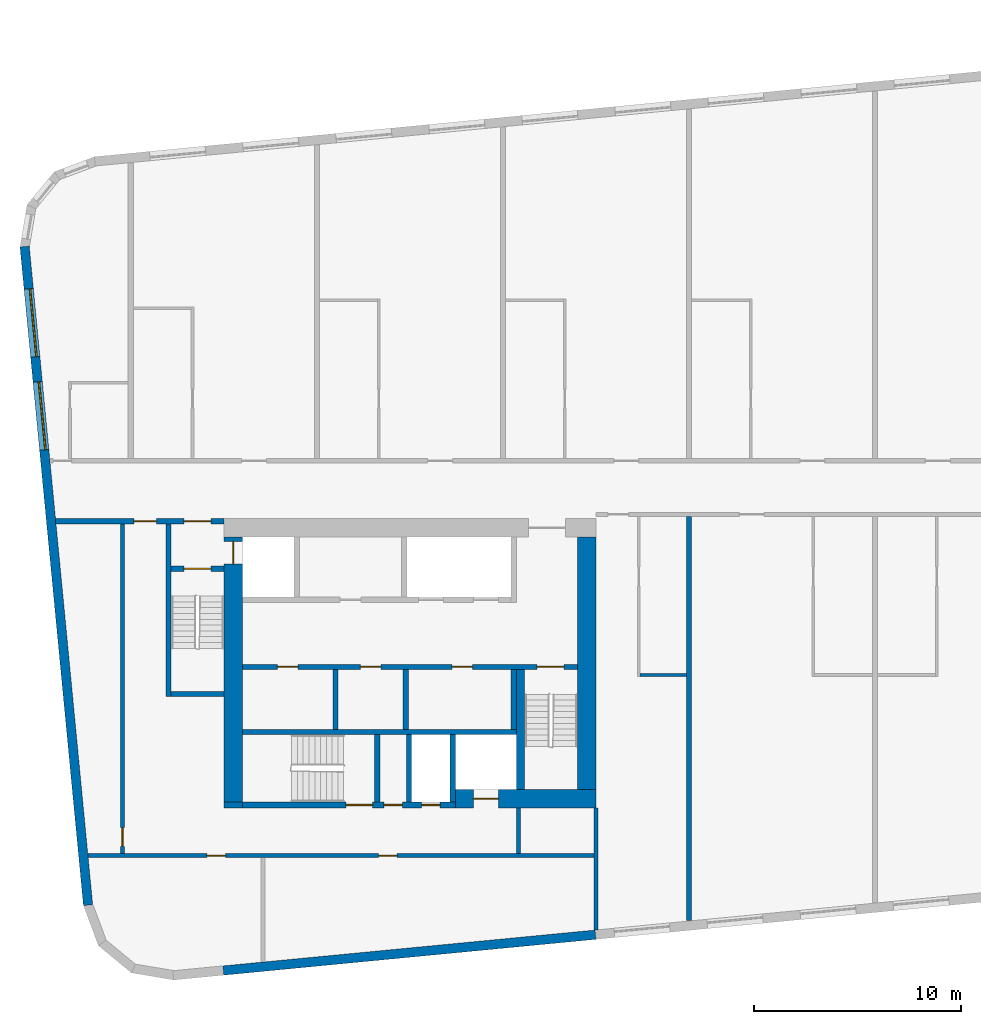
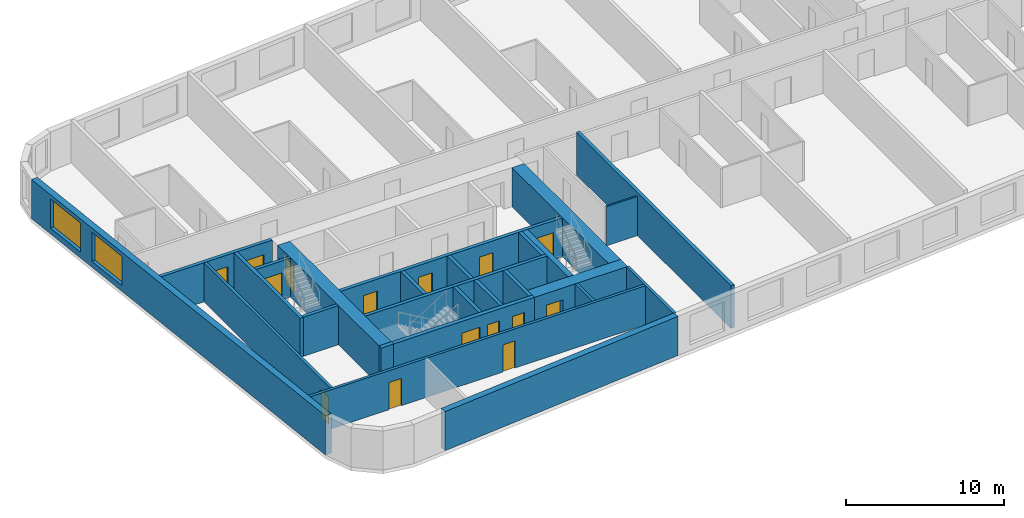
# One storey, part 2 of 11: 26 walls, 15 doors, 2 windows, 17 openings.
"""IFC4 building model written with IfcOpenShell, lengths in metres."""

import ifcopenshell
import ifcopenshell.guid

model = None  # the IFC model being written
_history = None  # IfcOwnerHistory: only IFC2X3 demands one
_inside = {}  # id of a spatial element -> (the spatial element, [elements in it])
_under = {}  # id of a project, library or spatial element -> (it, [spatial elements below it])
_declared = {}  # id of a project -> (the project, [libraries it declares])
_typed = {}  # id of a type object -> (the type object, [elements of that type])
_made_of = {}  # id of a material, layer set ... -> (it, [elements and type objects made of it])


def new_model(schema):
    """Start an empty IFC model of exactly this schema.

    Asked for "IFC4X3", IfcOpenShell would pick the latest addendum, in which some entities
    have other attributes; the version numbers below select the first issue.
    IFC2X3 requires an IfcOwnerHistory on every rooted entity: one is made here for all.
    """
    global model, _history
    if schema == "IFC4X3":
        model = ifcopenshell.file(schema_version=(4, 3, 0, 0))
    else:
        model = ifcopenshell.file(schema=schema)
    _inside.clear()
    _under.clear()
    _declared.clear()
    _typed.clear()
    _made_of.clear()
    _history = None
    if model.schema == "IFC2X3":
        org = make("IfcOrganization", Name="unknown")
        user = make(
            "IfcPersonAndOrganization",
            ThePerson=make("IfcPerson", FamilyName="unknown"),
            TheOrganization=org,
        )
        app = make(
            "IfcApplication",
            ApplicationDeveloper=org,
            Version="unknown",
            ApplicationFullName="unknown",
            ApplicationIdentifier="unknown",
        )
        _history = make(
            "IfcOwnerHistory",
            OwningUser=user,
            OwningApplication=app,
            ChangeAction="ADDED",
            CreationDate=0,
        )
    return model


def make(cls, **values):
    """One entity of the class cls with the attributes given. An attribute that is None is left unset."""
    return model.create_entity(
        cls, **{name: value for name, value in values.items() if value is not None}
    )


def rooted(cls, **values):
    """An entity with a GlobalId (a new one), such as an element, a storey or a relation."""
    return make(cls, GlobalId=ifcopenshell.guid.new(), OwnerHistory=_history, **values)


def si_unit(unit_type, name, prefix=None):
    """IfcSIUnit, for example si_unit("LENGTHUNIT", "METRE", prefix="MILLI")."""
    return make("IfcSIUnit", UnitType=unit_type, Prefix=prefix, Name=name)


def assignment(units):
    """IfcUnitAssignment: the units of a project."""
    return None if units is None else make("IfcUnitAssignment", Units=units)


def point(xyz):
    """IfcCartesianPoint."""
    return None if xyz is None else make("IfcCartesianPoint", Coordinates=xyz)


def direction(xyz):
    """IfcDirection."""
    return None if xyz is None else make("IfcDirection", DirectionRatios=xyz)


def frame(location, z_axis=None, x_axis=None):
    """IfcAxis2Placement3D, a coordinate frame: its origin and axes. An axis left out is left unset."""
    return make(
        "IfcAxis2Placement3D",
        Location=point(location),
        Axis=direction(z_axis),
        RefDirection=direction(x_axis),
    )


def frame_2d(location, x_axis=None):
    """IfcAxis2Placement2D, a coordinate frame in the plane: its origin and x axis."""
    return make(
        "IfcAxis2Placement2D", Location=point(location), RefDirection=direction(x_axis)
    )


def origin():
    """The frame at (0, 0, 0) with its axes left unset."""
    return frame((0.0, 0.0, 0.0))


def place(relative_to, where):
    """IfcLocalPlacement: puts the frame where relative to a parent placement (None: the world)."""
    return make(
        "IfcLocalPlacement", PlacementRelTo=relative_to, RelativePlacement=where
    )


def context(
    kind, dimensions, precision=None, world=None, true_north=None, identifier=None
):
    """IfcGeometricRepresentationContext, for example the 3D "Model" context."""
    return make(
        "IfcGeometricRepresentationContext",
        ContextIdentifier=identifier,
        ContextType=kind,
        CoordinateSpaceDimension=dimensions,
        Precision=precision,
        WorldCoordinateSystem=world,
        TrueNorth=true_north,
    )


def subcontext(parent, identifier, kind, view, scale=None):
    """IfcGeometricRepresentationSubContext, for example "Body" below "Model"."""
    return make(
        "IfcGeometricRepresentationSubContext",
        ContextIdentifier=identifier,
        ContextType=kind,
        ParentContext=parent,
        TargetScale=scale,
        TargetView=view,
    )


def project(units=None, contexts=None):
    """IfcProject with its units and contexts."""
    return rooted(
        "IfcProject",
        Name="project",
        RepresentationContexts=contexts,
        UnitsInContext=assignment(units),
    )


def spatial(cls, under=None, at=None, **own):
    """A site, building, storey or space (cls), placed at a placement, below another one or the project."""
    s = rooted(cls, ObjectPlacement=at, **own)
    if under is not None:
        _under.setdefault(under.id(), (under, []))[1].append(s)
    return s


def profile(cls, at=None, kind="AREA", **sizes):
    """A parametric profile (cls). Its sizes go by their IFC names, for example OverallWidth=200.0."""
    return make(cls, ProfileType=kind, Position=at, **sizes)


def rectangle(**sizes):
    """IfcRectangleProfileDef."""
    return profile("IfcRectangleProfileDef", **sizes)


def extrude(swept, where, along, depth):
    """IfcExtrudedAreaSolid: the profile swept, set in the frame where, extruded along a direction by depth."""
    return make(
        "IfcExtrudedAreaSolid",
        SweptArea=swept,
        Position=where,
        ExtrudedDirection=direction(along),
        Depth=depth,
    )


def shape(context_of_items, identifier, shape_type, items):
    """IfcShapeRepresentation: the items that make up one representation, for example the "Body"."""
    return make(
        "IfcShapeRepresentation",
        ContextOfItems=context_of_items,
        RepresentationIdentifier=identifier,
        RepresentationType=shape_type,
        Items=items,
    )


def material(Name=None, Category=None):
    """IfcMaterial."""
    return make("IfcMaterial", Name=Name, Category=Category)


def layer(
    of_material, thickness, ventilated=None, Name=None, Category=None, Priority=None
):
    """IfcMaterialLayer: one layer of a wall or slab, of a material (None: an air gap)."""
    return make(
        "IfcMaterialLayer",
        Material=of_material,
        LayerThickness=thickness,
        IsVentilated=ventilated,
        Name=Name,
        Category=Category,
        Priority=Priority,
    )


def layer_set(layers, Name=None):
    """IfcMaterialLayerSet."""
    return make("IfcMaterialLayerSet", MaterialLayers=layers, LayerSetName=Name)


def made_of(thing, what):
    """Note that an element or type object is made of a material, layer set ...; save() writes the relation."""
    if what is not None:
        _made_of.setdefault(what.id(), (what, []))[1].append(thing)
    return thing


def type_object(cls, material=None, **own):
    """A type object (cls), such as IfcWallType, which elements share."""
    return made_of(rooted(cls, **own), material)


def element(
    cls,
    number,
    at=None,
    inside=None,
    cuts=None,
    type_object=None,
    material=None,
    context=None,
    identifier="Body",
    shape_type=None,
    held_by="IfcProductDefinitionShape",
    body=None,
    shapes=None,
    **own,
):
    """One element of the class cls, such as IfcWall. Its Tag is "e" and its number.

    at: its placement. inside: the storey or other place that contains it. cuts: it is an
    opening in that element (IfcRelVoidsElement). A single representation is given by context,
    identifier, shape_type and body (its items); several are given by shapes. held_by: the class
    of the entity that holds the representations. save() writes the other relations.
    """
    e = rooted(cls, Tag="e%d" % number, ObjectPlacement=at, **own)
    if body is not None:
        shapes = [shape(context, identifier, shape_type, body)]
    if shapes is not None:
        e.Representation = make(held_by, Representations=shapes)
    if inside is not None:
        _inside.setdefault(inside.id(), (inside, []))[1].append(e)
    if cuts is not None:
        rooted(
            "IfcRelVoidsElement", RelatingBuildingElement=cuts, RelatedOpeningElement=e
        )
    if type_object is not None:
        _typed.setdefault(type_object.id(), (type_object, []))[1].append(e)
    return made_of(e, material)


def fill(opening, filler):
    """IfcRelFillsElement: the door or window that sits in an opening."""
    return rooted(
        "IfcRelFillsElement",
        RelatingOpeningElement=opening,
        RelatedBuildingElement=filler,
    )


def aggregate(whole, parts):
    """IfcRelAggregates: a whole, such as a stair, and the parts it consists of."""
    return rooted("IfcRelAggregates", RelatingObject=whole, RelatedObjects=parts)


def save(model, path):
    """Write the relations noted so far, then the file.

    IfcRelAggregates (storeys below a building ...), IfcRelContainedInSpatialStructure (elements
    in a storey), IfcRelDefinesByType, IfcRelAssociatesMaterial and IfcRelDeclares: one each for
    every whole, place, type object, material and project.
    """
    for whole, parts in _under.values():
        aggregate(whole, parts)
    for where, things in _inside.values():
        rooted(
            "IfcRelContainedInSpatialStructure",
            RelatedElements=things,
            RelatingStructure=where,
        )
    for kind, things in _typed.values():
        rooted("IfcRelDefinesByType", RelatedObjects=things, RelatingType=kind)
    for what, things in _made_of.values():
        rooted("IfcRelAssociatesMaterial", RelatedObjects=things, RelatingMaterial=what)
    for by, libraries in _declared.values():
        rooted("IfcRelDeclares", RelatingContext=by, RelatedDefinitions=libraries)
    model.write(path)


model = new_model("IFC4")

# Units and contexts
model_context = context("Model", 3, precision=1e-05, world=origin(), true_north=direction((0.0, 1.0)))
body_context = subcontext(model_context, "Body", "Model", "MODEL_VIEW")
ifc_project = project(units=[si_unit("LENGTHUNIT", "METRE"), si_unit("AREAUNIT", "SQUARE_METRE"), si_unit("VOLUMEUNIT", "CUBIC_METRE"), si_unit("PLANEANGLEUNIT", "RADIAN"), si_unit("MASSUNIT", "GRAM", prefix="KILO")], contexts=[model_context])

# Site, building, storey
site_placement = place(None, origin())
site = spatial("IfcSite", under=ifc_project, at=site_placement, CompositionType="ELEMENT")
building_placement = place(site_placement, origin())
building = spatial("IfcBuilding", under=site, at=building_placement, Name="Kajstack Hotel Tower", CompositionType="ELEMENT")
storey_placement = place(building_placement, frame((0.0, 0.0, 271.800048828125)))
storey = spatial("IfcBuildingStorey", under=building, at=storey_placement, Name="L67", CompositionType="ELEMENT", Elevation=271.800048828125)

# Wall, opening, door
ifc_material_1 = material(Name="Concrete C60/75", Category="concrete")
ifc_layer_1 = layer(ifc_material_1, 0.89990234375)
ifc_layer_set_1 = layer_set([ifc_layer_1], Name="Core wall 900")
wall_type_1 = type_object("IfcWallType", Name="Core wall 900", PredefinedType="SHEAR", material=ifc_layer_set_1)
wall_1_placement = place(storey_placement, frame((-20.300048828125, -15.050048828125, 0.0), z_axis=(0.0, 0.0, 1.0), x_axis=(1.0, 0.0, 0.0)))
wall_1 = element("IfcWall", 1, at=wall_1_placement, inside=storey, type_object=wall_type_1, Name="Core wall W RS", PredefinedType="SHEAR", context=body_context, shape_type="SweptSolid", body=[
    extrude(rectangle(XDim=6.800048828125, YDim=0.89990234375, at=frame_2d((3.39990234375, 0.0))), origin(), (0.0, 0.0, 1.0), 3.02001953125),
])
opening_1_placement = place(wall_1_placement, frame((0.875, 0.0, 0.0)))
opening_1 = element("IfcOpeningElement", 2, at=opening_1_placement, cuts=wall_1, Name="Opening LD-SV1", PredefinedType="OPENING", context=body_context, shape_type="SweptSolid", body=[
    extrude(rectangle(XDim=1.199951171875, YDim=2.10009765625, at=frame_2d((0.60009765625, 1.050048828125))), frame((0.0, 0.4599609375, 0.0), z_axis=(0.0, -1.0, 0.0), x_axis=(1.0, 0.0, 0.0)), (0.0, 0.0, 1.0), 0.919921875),
])
ifc_material_2 = material(Name="Stainless steel", Category="steel")
door_type_1 = type_object("IfcDoorType", Name="Lift landing door 1200", OperationType="SLIDING_TO_LEFT", PredefinedType="DOOR", material=ifc_material_2)
door_1_placement = place(opening_1_placement, origin())
door_1 = element("IfcDoor", 3, at=door_1_placement, inside=storey, type_object=door_type_1, Name="Landing door SV1", OperationType="SLIDING_TO_LEFT", OverallHeight=2.10009765625, OverallWidth=1.199951171875, PredefinedType="DOOR", context=body_context, shape_type="SweptSolid", body=[
    extrude(rectangle(XDim=1.199951171875, YDim=2.10009765625, at=frame_2d((0.60009765625, 1.050048828125))), frame((0.0, 0.02490234375, 0.0), z_axis=(0.0, -1.0, 0.0), x_axis=(1.0, 0.0, 0.0)), (0.0, 0.0, 1.0), 0.050048828125),
])
fill(opening_1, door_1)

# Wall
wall_2_placement = place(storey_placement, frame((-31.5, -15.35009765625, 0.0), z_axis=(0.0, 0.0, 1.0), x_axis=(1.0, 0.0, 0.0)))
element("IfcWall", 4, at=wall_2_placement, inside=storey, type_object=wall_type_1, Name="Core wall W RSW", PredefinedType="SHEAR", context=body_context, shape_type="SweptSolid", body=[
    extrude(rectangle(XDim=0.89990234375, YDim=0.300048828125, at=frame_2d((0.449951171875, 0.0))), origin(), (0.0, 0.0, 1.0), 3.02001953125),
])

# Wall, opening, door
wall_3_placement = place(storey_placement, frame((-31.050048828125, -15.199951171875, 0.0), z_axis=(0.0, 0.0, 1.0), x_axis=(0.0, 1.0, 0.0)))
wall_3 = element("IfcWall", 5, at=wall_3_placement, inside=storey, type_object=wall_type_1, Name="Core wall W RW", PredefinedType="SHEAR", context=body_context, shape_type="SweptSolid", body=[
    extrude(rectangle(XDim=12.800048828125, YDim=0.89990234375, at=frame_2d((6.39990234375, 0.0))), origin(), (0.0, 0.0, 1.0), 3.02001953125),
])
opening_2_placement = place(wall_3_placement, frame((11.5, 0.0, 0.0)))
opening_2 = element("IfcOpeningElement", 6, at=opening_2_placement, cuts=wall_3, Name="Opening LD-FF1", PredefinedType="OPENING", context=body_context, shape_type="SweptSolid", body=[
    extrude(rectangle(XDim=1.10009765625, YDim=2.10009765625, at=frame_2d((0.550048828125, 1.050048828125))), frame((0.0, 0.4599609375, 0.0), z_axis=(0.0, -1.0, 0.0), x_axis=(1.0, 0.0, 0.0)), (0.0, 0.0, 1.0), 0.919921875),
])
door_type_2 = type_object("IfcDoorType", Name="Fire-fighting lift landing door 1100", OperationType="SLIDING_TO_LEFT", PredefinedType="DOOR", material=ifc_material_2)
door_2_placement = place(opening_2_placement, origin())
door_2 = element("IfcDoor", 7, at=door_2_placement, inside=storey, type_object=door_type_2, Name="Landing door FF1", OperationType="SLIDING_TO_RIGHT", OverallHeight=2.10009765625, OverallWidth=1.10009765625, PredefinedType="DOOR", context=body_context, shape_type="SweptSolid", body=[
    extrude(rectangle(XDim=1.10009765625, YDim=2.10009765625, at=frame_2d((0.550048828125, 1.050048828125))), frame((0.0, 0.02490234375, 0.0), z_axis=(0.0, -1.0, 0.0), x_axis=(1.0, 0.0, 0.0)), (0.0, 0.0, 1.0), 0.050048828125),
])
fill(opening_2, door_2)

# Walls
wall_4_placement = place(storey_placement, frame((-13.949951171875, -14.60009765625, 0.0), z_axis=(0.0, 0.0, 1.0), x_axis=(0.0, 1.0, 0.0)))
element("IfcWall", 8, at=wall_4_placement, inside=storey, type_object=wall_type_1, Name="Core wall W RE", PredefinedType="SHEAR", context=body_context, shape_type="SweptSolid", body=[
    extrude(rectangle(XDim=12.2001953125, YDim=0.89990234375, at=frame_2d((6.10009765625, 0.0))), origin(), (0.0, 0.0, 1.0), 3.02001953125),
])
ifc_material_3 = material(Name="Twin-frame gypsum board on steel studs, mineral wool", Category="steel")
ifc_layer_2 = layer(ifc_material_3, 0.199951171875)
ifc_layer_set_2 = layer_set([ifc_layer_2], Name="Demising wall 200")
wall_type_2 = type_object("IfcWallType", Name="Demising wall 200", PredefinedType="PARTITIONING", material=ifc_layer_set_2)
wall_5_placement = place(storey_placement, frame((-13.5, -21.39599609375, 0.0), z_axis=(0.0, 0.0, 1.0), x_axis=(0.0, 1.0, 0.0)))
element("IfcWall", 9, at=wall_5_placement, inside=storey, type_object=wall_type_2, Name="G-wall-L67-002", PredefinedType="PARTITIONING", context=body_context, shape_type="SweptSolid", body=[
    extrude(rectangle(XDim=5.89599609375, YDim=0.199951171875, at=frame_2d((2.947998046875, 0.0))), origin(), (0.0, 0.0, 1.0), 3.02001953125),
])
ifc_material_4 = material(Name="Concrete C40/50", Category="concrete")
ifc_layer_3 = layer(ifc_material_4, 0.449951171875)
ifc_layer_set_3 = layer_set([ifc_layer_3], Name="EW-CORE")
wall_type_3 = type_object("IfcWallType", Name="EW-CORE", PredefinedType="SOLIDWALL", material=ifc_layer_set_3)
wall_6_placement = place(storey_placement, frame((-31.521484375, -23.357177734375, 0.0), z_axis=(0.0, 0.0, 1.0), x_axis=(0.995396454615, 0.095843091245, 0.0)))
element("IfcWall", 10, at=wall_6_placement, inside=storey, type_object=wall_type_3, Name="E-wall-L67-04-01", PredefinedType="SOLIDWALL", context=body_context, shape_type="SweptSolid", body=[
    extrude(rectangle(XDim=18.083251953125, YDim=0.449951171875, at=frame_2d((9.04150390625, 0.0))), origin(), (0.0, 0.0, 1.0), 3.02001953125),
])

# Wall, openings, windows
ifc_material_5 = material(Name="Terracotta-faced brick masonry", Category="masonry")
ifc_layer_4 = layer(ifc_material_5, 0.449951171875)
ifc_layer_set_4 = layer_set([ifc_layer_4], Name="EW-TERRA")
wall_type_4 = type_object("IfcWallType", Name="EW-TERRA", PredefinedType="SOLIDWALL", material=ifc_layer_set_4)
wall_7_placement = place(storey_placement, frame((-41.13232421875, 11.657958984375, 0.0), z_axis=(0.0, 0.0, 1.0), x_axis=(0.095847749461, -0.995396006082, 0.0)))
wall_7 = element("IfcWall", 11, at=wall_7_placement, inside=storey, type_object=wall_type_4, Name="E-wall-L67-00-00", PredefinedType="SOLIDWALL", context=body_context, shape_type="SweptSolid", body=[
    extrude(rectangle(XDim=32.0, YDim=0.449951171875, at=frame_2d((16.0, 0.0))), origin(), (0.0, 0.0, 1.0), 3.02001953125),
])
opening_3_placement = place(wall_7_placement, frame((2.053466796875, 0.0, 0.449951171875)))
opening_3 = element("IfcOpeningElement", 12, at=opening_3_placement, cuts=wall_7, Name="Opening W2", PredefinedType="OPENING", context=body_context, shape_type="SweptSolid", body=[
    extrude(rectangle(XDim=3.300048828125, YDim=2.25, at=frame_2d((1.64990234375, 1.125))), frame((0.0, 0.23486328125, 0.0), z_axis=(0.0, -1.0, 0.0), x_axis=(1.0, 0.0, 0.0)), (0.0, 0.0, 1.0), 0.469970703125),
])
opening_4_placement = place(wall_7_placement, frame((6.57421875, 0.0, 0.449951171875)))
opening_4 = element("IfcOpeningElement", 13, at=opening_4_placement, cuts=wall_7, Name="Opening W2", PredefinedType="OPENING", context=body_context, shape_type="SweptSolid", body=[
    extrude(rectangle(XDim=3.300048828125, YDim=2.25, at=frame_2d((1.64990234375, 1.125))), frame((0.0, 0.23486328125, 0.0), z_axis=(0.0, -1.0, 0.0), x_axis=(1.0, 0.0, 0.0)), (0.0, 0.0, 1.0), 0.469970703125),
])
ifc_material_6 = material(Name="Timber-aluminium window, triple glazed", Category="wood")
window_type = type_object("IfcWindowType", Name="WG2", PartitioningType="SINGLE_PANEL", PredefinedType="WINDOW", material=ifc_material_6)
window_1_placement = place(opening_3_placement, origin())
window_1 = element("IfcWindow", 14, at=window_1_placement, inside=storey, type_object=window_type, Name="Window W2 L67-00", OverallHeight=2.25, OverallWidth=3.300048828125, PartitioningType="SINGLE_PANEL", PredefinedType="WINDOW", context=body_context, shape_type="SweptSolid", body=[
    extrude(rectangle(XDim=3.300048828125, YDim=2.25, at=frame_2d((1.64990234375, 1.125))), frame((0.0, 0.090087890625, 0.0), z_axis=(0.0, -1.0, 0.0), x_axis=(1.0, 0.0, 0.0)), (0.0, 0.0, 1.0), 0.06005859375),
])
fill(opening_3, window_1)
window_2_placement = place(opening_4_placement, origin())
window_2 = element("IfcWindow", 15, at=window_2_placement, inside=storey, type_object=window_type, Name="Window W2 L67-00", OverallHeight=2.25, OverallWidth=3.300048828125, PartitioningType="SINGLE_PANEL", PredefinedType="WINDOW", context=body_context, shape_type="SweptSolid", body=[
    extrude(rectangle(XDim=3.300048828125, YDim=2.25, at=frame_2d((1.64990234375, 1.125))), frame((0.0, 0.090087890625, 0.0), z_axis=(0.0, -1.0, 0.0), x_axis=(1.0, 0.0, 0.0)), (0.0, 0.0, 1.0), 0.06005859375),
])
fill(opening_4, window_2)

# Walls
ifc_material_7 = material(Name="Gypsum board and tiled backer on steel studs", Category="steel")
ifc_layer_5 = layer(ifc_material_7, 0.125)
ifc_layer_set_5 = layer_set([ifc_layer_5], Name="En-suite wall 125")
wall_type_5 = type_object("IfcWallType", Name="En-suite wall 125", PredefinedType="PARTITIONING", material=ifc_layer_set_5)
wall_8_placement = place(storey_placement, frame((-11.375, -9.06201171875, 0.0), z_axis=(0.0, 0.0, 1.0), x_axis=(1.0, 0.0, 0.0)))
element("IfcWall", 16, at=wall_8_placement, inside=storey, type_object=wall_type_5, Name="G-wall-L67-020", PredefinedType="PARTITIONING", context=body_context, shape_type="SweptSolid", body=[
    extrude(rectangle(XDim=2.25, YDim=0.125, at=frame_2d((1.125, 0.0))), origin(), (0.0, 0.0, 1.0), 3.02001953125),
])
ifc_layer_6 = layer(ifc_material_4, 0.25)
ifc_layer_set_6 = layer_set([ifc_layer_6], Name="RC cross wall 250 C40/50")
wall_type_6 = type_object("IfcWallType", Name="RC cross wall 250 C40/50", PredefinedType="SHEAR", material=ifc_layer_set_6)
wall_9_placement = place(storey_placement, frame((-9.0, -20.9404296875, 0.0), z_axis=(0.0, 0.0, 1.0), x_axis=(0.0, 1.0, 0.0)))
element("IfcWall", 17, at=wall_9_placement, inside=storey, type_object=wall_type_6, Name="S-wall-L67-04", PredefinedType="SHEAR", context=body_context, shape_type="SweptSolid", body=[
    extrude(rectangle(XDim=19.54052734375, YDim=0.25, at=frame_2d((9.770263671875, 0.0))), origin(), (0.0, 0.0, 1.0), 3.300048828125),
])
ifc_material_8 = material(Name="Concrete block masonry", Category="masonry")
ifc_layer_7 = layer(ifc_material_8, 0.25)
ifc_layer_set_7 = layer_set([ifc_layer_7], Name="Riser partition 250")
wall_type_7 = type_object("IfcWallType", Name="Riser partition 250", PredefinedType="PARTITIONING", material=ifc_layer_set_7)
for number, where, z_axis, x_axis, name in (
    (18, (-26.10009765625, -11.699951171875, 0.0), (0.0, 0.0, 1.0), (0.0, 1.0, 0.0), "Partition W BF0"),
    (19, (-22.699951171875, -11.699951171875, 0.0), (0.0, 0.0, 1.0), (0.0, 1.0, 0.0), "Partition W BF1"),
):
    element("IfcWall", number, at=place(storey_placement, frame(where, z_axis=z_axis, x_axis=x_axis)), inside=storey, type_object=wall_type_7, Name=name, PredefinedType="PARTITIONING", context=body_context, shape_type="SweptSolid", body=[
        extrude(rectangle(XDim=2.89990234375, YDim=0.25, at=frame_2d((1.449951171875, 0.0))), origin(), (0.0, 0.0, 1.0), 3.02001953125),
    ])
wall_10_placement = place(storey_placement, frame((-22.550048828125, -15.199951171875, 0.0), z_axis=(0.0, 0.0, 1.0), x_axis=(0.0, 1.0, 0.0)))
element("IfcWall", 20, at=wall_10_placement, inside=storey, type_object=wall_type_7, Name="Partition W SZ0", PredefinedType="PARTITIONING", context=body_context, shape_type="SweptSolid", body=[
    extrude(rectangle(XDim=3.25, YDim=0.25, at=frame_2d((1.625, 0.0))), origin(), (0.0, 0.0, 1.0), 3.02001953125),
])

# Wall, openings, doors
ifc_material_9 = material(Name="Gypsum board on steel studs, mineral wool", Category="steel")
ifc_layer_8 = layer(ifc_material_9, 0.199951171875)
ifc_layer_set_8 = layer_set([ifc_layer_8], Name="Service partition 200")
wall_type_8 = type_object("IfcWallType", Name="Service partition 200", PredefinedType="PARTITIONING", material=ifc_layer_set_8)
wall_11_placement = place(storey_placement, frame((-39.627197265625, -1.625, 0.0), z_axis=(0.0, 0.0, 1.0), x_axis=(1.0, 0.0, 0.0)))
wall_11 = element("IfcWall", 21, at=wall_11_placement, inside=storey, type_object=wall_type_8, Name="Partition W SN", PredefinedType="PARTITIONING", context=body_context, shape_type="SweptSolid", body=[
    extrude(rectangle(XDim=8.127197265625, YDim=0.25, at=frame_2d((4.0634765625, 0.0))), origin(), (0.0, 0.0, 1.0), 3.02001953125),
])
opening_5_placement = place(wall_11_placement, frame((6.202392578125, 0.0, 0.0)))
opening_5 = element("IfcOpeningElement", 22, at=opening_5_placement, cuts=wall_11, Name="Opening 67W06", PredefinedType="OPENING", context=body_context, shape_type="SweptSolid", body=[
    extrude(rectangle(XDim=1.300048828125, YDim=2.10009765625, at=frame_2d((0.64990234375, 1.050048828125))), frame((0.0, 0.135009765625, 0.0), z_axis=(0.0, -1.0, 0.0), x_axis=(1.0, 0.0, 0.0)), (0.0, 0.0, 1.0), 0.27001953125),
])
opening_6_placement = place(wall_11_placement, frame((3.77734375, 0.0, 0.0)))
opening_6 = element("IfcOpeningElement", 23, at=opening_6_placement, cuts=wall_11, Name="Opening 67W08", PredefinedType="OPENING", context=body_context, shape_type="SweptSolid", body=[
    extrude(rectangle(XDim=1.10009765625, YDim=2.10009765625, at=frame_2d((0.550048828125, 1.050048828125))), frame((0.0, 0.135009765625, 0.0), z_axis=(0.0, -1.0, 0.0), x_axis=(1.0, 0.0, 0.0)), (0.0, 0.0, 1.0), 0.27001953125),
])
ifc_material_10 = material(Name="Steel leaf, fire-rated", Category="steel")
door_type_3 = type_object("IfcDoorType", Name="Fire lobby door 1300", OperationType="SINGLE_SWING_LEFT", PredefinedType="DOOR", material=ifc_material_10)
door_3_placement = place(opening_5_placement, origin())
door_3 = element("IfcDoor", 24, at=door_3_placement, inside=storey, type_object=door_type_3, Name="Door 67W06", OperationType="SINGLE_SWING_RIGHT", OverallHeight=2.10009765625, OverallWidth=1.300048828125, PredefinedType="DOOR", context=body_context, shape_type="SweptSolid", body=[
    extrude(rectangle(XDim=1.300048828125, YDim=2.10009765625, at=frame_2d((0.64990234375, 1.050048828125))), frame((0.0, 0.02490234375, 0.0), z_axis=(0.0, -1.0, 0.0), x_axis=(1.0, 0.0, 0.0)), (0.0, 0.0, 1.0), 0.050048828125),
])
fill(opening_5, door_3)
ifc_material_11 = material(Name="Timber leaf, fire-rated", Category="wood")
door_type_4 = type_object("IfcDoorType", Name="Service corridor door 1100", OperationType="SINGLE_SWING_LEFT", PredefinedType="DOOR", material=ifc_material_11)
door_4_placement = place(opening_6_placement, origin())
door_4 = element("IfcDoor", 25, at=door_4_placement, inside=storey, type_object=door_type_4, Name="Door 67W08", OperationType="SINGLE_SWING_RIGHT", OverallHeight=2.10009765625, OverallWidth=1.10009765625, PredefinedType="DOOR", context=body_context, shape_type="SweptSolid", body=[
    extrude(rectangle(XDim=1.10009765625, YDim=2.10009765625, at=frame_2d((0.550048828125, 1.050048828125))), frame((0.0, 0.02490234375, 0.0), z_axis=(0.0, -1.0, 0.0), x_axis=(1.0, 0.0, 0.0)), (0.0, 0.0, 1.0), 0.050048828125),
])
fill(opening_6, door_4)

# Wall
wall_12_placement = place(storey_placement, frame((-17.25, -17.699951171875, 0.0), z_axis=(0.0, 0.0, 1.0), x_axis=(0.0, 1.0, 0.0)))
element("IfcWall", 26, at=wall_12_placement, inside=storey, type_object=wall_type_8, Name="Partition W SCE", PredefinedType="PARTITIONING", context=body_context, shape_type="SweptSolid", body=[
    extrude(rectangle(XDim=2.199951171875, YDim=0.199951171875, at=frame_2d((1.10009765625, 0.0))), origin(), (0.0, 0.0, 1.0), 3.02001953125),
])

# Wall, opening, door
wall_13_placement = place(storey_placement, frame((-36.39990234375, -17.699951171875, 0.0), z_axis=(0.0, 0.0, 1.0), x_axis=(0.0, 1.0, 0.0)))
wall_13 = element("IfcWall", 27, at=wall_13_placement, inside=storey, type_object=wall_type_8, Name="Partition W WRE", PredefinedType="PARTITIONING", context=body_context, shape_type="SweptSolid", body=[
    extrude(rectangle(XDim=15.949951171875, YDim=0.199951171875, at=frame_2d((7.97509765625, 0.0))), origin(), (0.0, 0.0, 1.0), 3.02001953125),
])
opening_7_placement = place(wall_13_placement, frame((0.35009765625, 0.0, 0.0)))
opening_7 = element("IfcOpeningElement", 28, at=opening_7_placement, cuts=wall_13, Name="Opening 67W19", PredefinedType="OPENING", context=body_context, shape_type="SweptSolid", body=[
    extrude(rectangle(XDim=0.89990234375, YDim=2.10009765625, at=frame_2d((0.449951171875, 1.050048828125))), frame((0.0, 0.10986328125, 0.0), z_axis=(0.0, -1.0, 0.0), x_axis=(1.0, 0.0, 0.0)), (0.0, 0.0, 1.0), 0.219970703125),
])
door_type_5 = type_object("IfcDoorType", Name="Service door 900", OperationType="SINGLE_SWING_LEFT", PredefinedType="DOOR", material=ifc_material_11)
door_5_placement = place(opening_7_placement, origin())
door_5 = element("IfcDoor", 29, at=door_5_placement, inside=storey, type_object=door_type_5, Name="Door 67W19", OperationType="SINGLE_SWING_LEFT", OverallHeight=2.10009765625, OverallWidth=0.89990234375, PredefinedType="DOOR", context=body_context, shape_type="SweptSolid", body=[
    extrude(rectangle(XDim=0.89990234375, YDim=2.10009765625, at=frame_2d((0.449951171875, 1.050048828125))), frame((0.0, 0.02490234375, 0.0), z_axis=(0.0, -1.0, 0.0), x_axis=(1.0, 0.0, 0.0)), (0.0, 0.0, 1.0), 0.050048828125),
])
fill(opening_7, door_5)

# Wall, openings, doors
wall_14_placement = place(storey_placement, frame((-38.06982421875, -17.800048828125, 0.0), z_axis=(0.0, 0.0, 1.0), x_axis=(1.0, 0.0, 0.0)))
wall_14 = element("IfcWall", 30, at=wall_14_placement, inside=storey, type_object=wall_type_8, Name="Partition W SLN", PredefinedType="PARTITIONING", context=body_context, shape_type="SweptSolid", body=[
    extrude(rectangle(XDim=24.4697265625, YDim=0.199951171875, at=frame_2d((12.23486328125, 0.0))), origin(), (0.0, 0.0, 1.0), 3.02001953125),
])
opening_8_placement = place(wall_14_placement, frame((5.75732421875, 0.0, 0.0)))
opening_8 = element("IfcOpeningElement", 31, at=opening_8_placement, cuts=wall_14, Name="Opening 67W17", PredefinedType="OPENING", context=body_context, shape_type="SweptSolid", body=[
    extrude(rectangle(XDim=0.89990234375, YDim=2.10009765625, at=frame_2d((0.449951171875, 1.050048828125))), frame((0.0, 0.10986328125, 0.0), z_axis=(0.0, -1.0, 0.0), x_axis=(1.0, 0.0, 0.0)), (0.0, 0.0, 1.0), 0.219970703125),
])
opening_9_placement = place(wall_14_placement, frame((14.057373046875, 0.0, 0.0)))
opening_9 = element("IfcOpeningElement", 32, at=opening_9_placement, cuts=wall_14, Name="Opening 67W18", PredefinedType="OPENING", context=body_context, shape_type="SweptSolid", body=[
    extrude(rectangle(XDim=0.89990234375, YDim=2.10009765625, at=frame_2d((0.449951171875, 1.050048828125))), frame((0.0, 0.10986328125, 0.0), z_axis=(0.0, -1.0, 0.0), x_axis=(1.0, 0.0, 0.0)), (0.0, 0.0, 1.0), 0.219970703125),
])
door_6_placement = place(opening_8_placement, origin())
door_6 = element("IfcDoor", 33, at=door_6_placement, inside=storey, type_object=door_type_5, Name="Door 67W17", OperationType="SINGLE_SWING_RIGHT", OverallHeight=2.10009765625, OverallWidth=0.89990234375, PredefinedType="DOOR", context=body_context, shape_type="SweptSolid", body=[
    extrude(rectangle(XDim=0.89990234375, YDim=2.10009765625, at=frame_2d((0.449951171875, 1.050048828125))), frame((0.0, 0.02490234375, 0.0), z_axis=(0.0, -1.0, 0.0), x_axis=(1.0, 0.0, 0.0)), (0.0, 0.0, 1.0), 0.050048828125),
])
fill(opening_8, door_6)
door_7_placement = place(opening_9_placement, origin())
door_7 = element("IfcDoor", 34, at=door_7_placement, inside=storey, type_object=door_type_5, Name="Door 67W18", OperationType="SINGLE_SWING_RIGHT", OverallHeight=2.10009765625, OverallWidth=0.89990234375, PredefinedType="DOOR", context=body_context, shape_type="SweptSolid", body=[
    extrude(rectangle(XDim=0.89990234375, YDim=2.10009765625, at=frame_2d((0.449951171875, 1.050048828125))), frame((0.0, 0.02490234375, 0.0), z_axis=(0.0, -1.0, 0.0), x_axis=(1.0, 0.0, 0.0)), (0.0, 0.0, 1.0), 0.050048828125),
])
fill(opening_9, door_7)

ifc_material_12 = material(Name="Concrete C50/60", Category="concrete")
ifc_layer_9 = layer(ifc_material_12, 0.25)
ifc_layer_set_9 = layer_set([ifc_layer_9], Name="Shaft wall 250")
wall_type_9 = type_object("IfcWallType", Name="Shaft wall 250", PredefinedType="SHEAR", material=ifc_layer_set_9)
wall_15_placement = place(storey_placement, frame((-30.60009765625, -15.35009765625, 0.0), z_axis=(0.0, 0.0, 1.0), x_axis=(1.0, 0.0, 0.0)))
wall_15 = element("IfcWall", 35, at=wall_15_placement, inside=storey, type_object=wall_type_9, Name="Core wall W RSS", PredefinedType="SHEAR", context=body_context, shape_type="SweptSolid", body=[
    extrude(rectangle(XDim=10.300048828125, YDim=0.300048828125, at=frame_2d((5.14990234375, 0.0))), origin(), (0.0, 0.0, 1.0), 3.02001953125),
])
opening_10_placement = place(wall_15_placement, frame((5.0, 0.0, 0.0)))
opening_10 = element("IfcOpeningElement", 36, at=opening_10_placement, cuts=wall_15, Name="Opening 67W10", PredefinedType="OPENING", context=body_context, shape_type="SweptSolid", body=[
    extrude(rectangle(XDim=1.300048828125, YDim=2.10009765625, at=frame_2d((0.64990234375, 1.050048828125))), frame((0.0, 0.159912109375, 0.0), z_axis=(0.0, -1.0, 0.0), x_axis=(1.0, 0.0, 0.0)), (0.0, 0.0, 1.0), 0.320068359375),
])
opening_11_placement = place(wall_15_placement, frame((6.83740234375, 0.0, 0.0)))
opening_11 = element("IfcOpeningElement", 37, at=opening_11_placement, cuts=wall_15, Name="Opening 67W11", PredefinedType="OPENING", context=body_context, shape_type="SweptSolid", body=[
    extrude(rectangle(XDim=0.89990234375, YDim=2.10009765625, at=frame_2d((0.449951171875, 1.050048828125))), frame((0.0, 0.159912109375, 0.0), z_axis=(0.0, -1.0, 0.0), x_axis=(1.0, 0.0, 0.0)), (0.0, 0.0, 1.0), 0.320068359375),
])
opening_12_placement = place(wall_15_placement, frame((8.66259765625, 0.0, 0.0)))
opening_12 = element("IfcOpeningElement", 38, at=opening_12_placement, cuts=wall_15, Name="Opening 67W12", PredefinedType="OPENING", context=body_context, shape_type="SweptSolid", body=[
    extrude(rectangle(XDim=0.89990234375, YDim=2.10009765625, at=frame_2d((0.449951171875, 1.050048828125))), frame((0.0, 0.159912109375, 0.0), z_axis=(0.0, -1.0, 0.0), x_axis=(1.0, 0.0, 0.0)), (0.0, 0.0, 1.0), 0.320068359375),
])
door_type_6 = type_object("IfcDoorType", Name="Riser door 900", OperationType="SINGLE_SWING_LEFT", PredefinedType="DOOR", material=ifc_material_10)
door_8_placement = place(opening_12_placement, origin())
door_8 = element("IfcDoor", 39, at=door_8_placement, inside=storey, type_object=door_type_6, Name="Door 67W12", OperationType="SINGLE_SWING_LEFT", OverallHeight=2.10009765625, OverallWidth=0.89990234375, PredefinedType="DOOR", context=body_context, shape_type="SweptSolid", body=[
    extrude(rectangle(XDim=0.89990234375, YDim=2.10009765625, at=frame_2d((0.449951171875, 1.050048828125))), frame((0.0, 0.02490234375, 0.0), z_axis=(0.0, -1.0, 0.0), x_axis=(1.0, 0.0, 0.0)), (0.0, 0.0, 1.0), 0.050048828125),
])
fill(opening_12, door_8)
door_9_placement = place(opening_11_placement, origin())
door_9 = element("IfcDoor", 40, at=door_9_placement, inside=storey, type_object=door_type_5, Name="Door 67W11", OperationType="SINGLE_SWING_LEFT", OverallHeight=2.10009765625, OverallWidth=0.89990234375, PredefinedType="DOOR", context=body_context, shape_type="SweptSolid", body=[
    extrude(rectangle(XDim=0.89990234375, YDim=2.10009765625, at=frame_2d((0.449951171875, 1.050048828125))), frame((0.0, 0.02490234375, 0.0), z_axis=(0.0, -1.0, 0.0), x_axis=(1.0, 0.0, 0.0)), (0.0, 0.0, 1.0), 0.050048828125),
])
fill(opening_11, door_9)
door_type_7 = type_object("IfcDoorType", Name="Stair door 1300", OperationType="SINGLE_SWING_LEFT", PredefinedType="DOOR", material=ifc_material_10)
door_10_placement = place(opening_10_placement, origin())
door_10 = element("IfcDoor", 41, at=door_10_placement, inside=storey, type_object=door_type_7, Name="Door 67W10", OperationType="SINGLE_SWING_RIGHT", OverallHeight=2.10009765625, OverallWidth=1.300048828125, PredefinedType="DOOR", context=body_context, shape_type="SweptSolid", body=[
    extrude(rectangle(XDim=1.300048828125, YDim=2.10009765625, at=frame_2d((0.64990234375, 1.050048828125))), frame((0.0, 0.02490234375, 0.0), z_axis=(0.0, -1.0, 0.0), x_axis=(1.0, 0.0, 0.0)), (0.0, 0.0, 1.0), 0.050048828125),
])
fill(opening_10, door_10)

wall_16_placement = place(storey_placement, frame((-30.60009765625, -8.675048828125, 0.0), z_axis=(0.0, 0.0, 1.0), x_axis=(1.0, 0.0, 0.0)))
wall_16 = element("IfcWall", 42, at=wall_16_placement, inside=storey, type_object=wall_type_9, Name="Core wall W FB", PredefinedType="SHEAR", context=body_context, shape_type="SweptSolid", body=[
    extrude(rectangle(XDim=16.2001953125, YDim=0.25, at=frame_2d((8.10009765625, 0.0))), origin(), (0.0, 0.0, 1.0), 3.02001953125),
])
opening_13_placement = place(wall_16_placement, frame((14.25, 0.0, 0.0)))
opening_13 = element("IfcOpeningElement", 43, at=opening_13_placement, cuts=wall_16, Name="Opening 67W09", PredefinedType="OPENING", context=body_context, shape_type="SweptSolid", body=[
    extrude(rectangle(XDim=1.300048828125, YDim=2.10009765625, at=frame_2d((0.64990234375, 1.050048828125))), frame((0.0, 0.135009765625, 0.0), z_axis=(0.0, -1.0, 0.0), x_axis=(1.0, 0.0, 0.0)), (0.0, 0.0, 1.0), 0.27001953125),
])
opening_14_placement = place(wall_16_placement, frame((1.6875, 0.0, 0.0)))
opening_14 = element("IfcOpeningElement", 44, at=opening_14_placement, cuts=wall_16, Name="Opening 67W13", PredefinedType="OPENING", context=body_context, shape_type="SweptSolid", body=[
    extrude(rectangle(XDim=1.0, YDim=2.10009765625, at=frame_2d((0.5, 1.050048828125))), frame((0.0, 0.135009765625, 0.0), z_axis=(0.0, -1.0, 0.0), x_axis=(1.0, 0.0, 0.0)), (0.0, 0.0, 1.0), 0.27001953125),
])
opening_15_placement = place(wall_16_placement, frame((5.699951171875, 0.0, 0.0)))
opening_15 = element("IfcOpeningElement", 45, at=opening_15_placement, cuts=wall_16, Name="Opening 67W14", PredefinedType="OPENING", context=body_context, shape_type="SweptSolid", body=[
    extrude(rectangle(XDim=1.0, YDim=2.10009765625, at=frame_2d((0.5, 1.050048828125))), frame((0.0, 0.135009765625, 0.0), z_axis=(0.0, -1.0, 0.0), x_axis=(1.0, 0.0, 0.0)), (0.0, 0.0, 1.0), 0.27001953125),
])
opening_16_placement = place(wall_16_placement, frame((10.137451171875, 0.0, 0.0)))
opening_16 = element("IfcOpeningElement", 46, at=opening_16_placement, cuts=wall_16, Name="Opening 67W15", PredefinedType="OPENING", context=body_context, shape_type="SweptSolid", body=[
    extrude(rectangle(XDim=1.0, YDim=2.10009765625, at=frame_2d((0.5, 1.050048828125))), frame((0.0, 0.135009765625, 0.0), z_axis=(0.0, -1.0, 0.0), x_axis=(1.0, 0.0, 0.0)), (0.0, 0.0, 1.0), 0.27001953125),
])
door_type_8 = type_object("IfcDoorType", Name="Service room door 1000", OperationType="SINGLE_SWING_LEFT", PredefinedType="DOOR", material=ifc_material_11)
door_11_placement = place(opening_14_placement, origin())
door_11 = element("IfcDoor", 47, at=door_11_placement, inside=storey, type_object=door_type_8, Name="Door 67W13", OperationType="SINGLE_SWING_RIGHT", OverallHeight=2.10009765625, OverallWidth=1.0, PredefinedType="DOOR", context=body_context, shape_type="SweptSolid", body=[
    extrude(rectangle(XDim=1.0, YDim=2.10009765625, at=frame_2d((0.5, 1.050048828125))), frame((0.0, 0.02490234375, 0.0), z_axis=(0.0, -1.0, 0.0), x_axis=(1.0, 0.0, 0.0)), (0.0, 0.0, 1.0), 0.050048828125),
])
fill(opening_14, door_11)
door_12_placement = place(opening_15_placement, origin())
door_12 = element("IfcDoor", 48, at=door_12_placement, inside=storey, type_object=door_type_8, Name="Door 67W14", OperationType="SINGLE_SWING_RIGHT", OverallHeight=2.10009765625, OverallWidth=1.0, PredefinedType="DOOR", context=body_context, shape_type="SweptSolid", body=[
    extrude(rectangle(XDim=1.0, YDim=2.10009765625, at=frame_2d((0.5, 1.050048828125))), frame((0.0, 0.02490234375, 0.0), z_axis=(0.0, -1.0, 0.0), x_axis=(1.0, 0.0, 0.0)), (0.0, 0.0, 1.0), 0.050048828125),
])
fill(opening_15, door_12)
door_13_placement = place(opening_16_placement, origin())
door_13 = element("IfcDoor", 49, at=door_13_placement, inside=storey, type_object=door_type_8, Name="Door 67W15", OperationType="SINGLE_SWING_RIGHT", OverallHeight=2.10009765625, OverallWidth=1.0, PredefinedType="DOOR", context=body_context, shape_type="SweptSolid", body=[
    extrude(rectangle(XDim=1.0, YDim=2.10009765625, at=frame_2d((0.5, 1.050048828125))), frame((0.0, 0.02490234375, 0.0), z_axis=(0.0, -1.0, 0.0), x_axis=(1.0, 0.0, 0.0)), (0.0, 0.0, 1.0), 0.050048828125),
])
fill(opening_16, door_13)
door_14_placement = place(opening_13_placement, origin())
door_14 = element("IfcDoor", 50, at=door_14_placement, inside=storey, type_object=door_type_7, Name="Door 67W09", OperationType="SINGLE_SWING_RIGHT", OverallHeight=2.10009765625, OverallWidth=1.300048828125, PredefinedType="DOOR", context=body_context, shape_type="SweptSolid", body=[
    extrude(rectangle(XDim=1.300048828125, YDim=2.10009765625, at=frame_2d((0.64990234375, 1.050048828125))), frame((0.0, 0.02490234375, 0.0), z_axis=(0.0, -1.0, 0.0), x_axis=(1.0, 0.0, 0.0)), (0.0, 0.0, 1.0), 0.050048828125),
])
fill(opening_13, door_14)

# Walls
wall_17_placement = place(storey_placement, frame((-30.60009765625, -11.824951171875, 0.0), z_axis=(0.0, 0.0, 1.0), x_axis=(1.0, 0.0, 0.0)))
element("IfcWall", 51, at=wall_17_placement, inside=storey, type_object=wall_type_9, Name="Core wall W RB", PredefinedType="SHEAR", context=body_context, shape_type="SweptSolid", body=[
    extrude(rectangle(XDim=13.25, YDim=0.25, at=frame_2d((6.625, 0.0))), origin(), (0.0, 0.0, 1.0), 3.02001953125),
])
wall_18_placement = place(storey_placement, frame((-17.47509765625, -11.699951171875, 0.0), z_axis=(0.0, 0.0, 1.0), x_axis=(0.0, 1.0, 0.0)))
element("IfcWall", 52, at=wall_18_placement, inside=storey, type_object=wall_type_9, Name="Core wall W BE", PredefinedType="SHEAR", context=body_context, shape_type="SweptSolid", body=[
    extrude(rectangle(XDim=2.89990234375, YDim=0.25, at=frame_2d((1.449951171875, 0.0))), origin(), (0.0, 0.0, 1.0), 3.02001953125),
])
wall_19_placement = place(storey_placement, frame((-20.425048828125, -15.199951171875, 0.0), z_axis=(0.0, 0.0, 1.0), x_axis=(0.0, 1.0, 0.0)))
element("IfcWall", 53, at=wall_19_placement, inside=storey, type_object=wall_type_9, Name="Core wall W SVW", PredefinedType="SHEAR", context=body_context, shape_type="SweptSolid", body=[
    extrude(rectangle(XDim=3.25, YDim=0.25, at=frame_2d((1.625, 0.0))), origin(), (0.0, 0.0, 1.0), 3.02001953125),
])

# Wall, opening, door
ifc_layer_10 = layer(ifc_material_4, 0.25)
ifc_layer_set_10 = layer_set([ifc_layer_10], Name="Stair enclosure wall 250")
wall_type_10 = type_object("IfcWallType", Name="Stair enclosure wall 250", PredefinedType="SHEAR", material=ifc_layer_set_10)
wall_20_placement = place(storey_placement, frame((-34.050048828125, -3.925048828125, 0.0), z_axis=(0.0, 0.0, 1.0), x_axis=(1.0, 0.0, 0.0)))
wall_20 = element("IfcWall", 54, at=wall_20_placement, inside=storey, type_object=wall_type_10, Name="Core wall W W1N", PredefinedType="SHEAR", context=body_context, shape_type="SweptSolid", body=[
    extrude(rectangle(XDim=2.550048828125, YDim=0.25, at=frame_2d((1.27490234375, 0.0))), origin(), (0.0, 0.0, 1.0), 3.02001953125),
])
opening_17_placement = place(wall_20_placement, frame((0.625, 0.0, 0.0)))
opening_17 = element("IfcOpeningElement", 55, at=opening_17_placement, cuts=wall_20, Name="Opening 67W07", PredefinedType="OPENING", context=body_context, shape_type="SweptSolid", body=[
    extrude(rectangle(XDim=1.300048828125, YDim=2.10009765625, at=frame_2d((0.64990234375, 1.050048828125))), frame((0.0, 0.135009765625, 0.0), z_axis=(0.0, -1.0, 0.0), x_axis=(1.0, 0.0, 0.0)), (0.0, 0.0, 1.0), 0.27001953125),
])
door_15_placement = place(opening_17_placement, origin())
door_15 = element("IfcDoor", 56, at=door_15_placement, inside=storey, type_object=door_type_7, Name="Door 67W07", OperationType="SINGLE_SWING_RIGHT", OverallHeight=2.10009765625, OverallWidth=1.300048828125, PredefinedType="DOOR", context=body_context, shape_type="SweptSolid", body=[
    extrude(rectangle(XDim=1.300048828125, YDim=2.10009765625, at=frame_2d((0.64990234375, 1.050048828125))), frame((0.0, 0.02490234375, 0.0), z_axis=(0.0, -1.0, 0.0), x_axis=(1.0, 0.0, 0.0)), (0.0, 0.0, 1.0), 0.050048828125),
])
fill(opening_17, door_15)

# Walls
wall_21_placement = place(storey_placement, frame((-34.175048828125, -10.10009765625, 0.0), z_axis=(0.0, 0.0, 1.0), x_axis=(0.0, 1.0, 0.0)))
element("IfcWall", 57, at=wall_21_placement, inside=storey, type_object=wall_type_10, Name="Core wall W W1W", PredefinedType="SHEAR", context=body_context, shape_type="SweptSolid", body=[
    extrude(rectangle(XDim=8.35009765625, YDim=0.25, at=frame_2d((4.175048828125, 0.0))), origin(), (0.0, 0.0, 1.0), 3.02001953125),
])
wall_22_placement = place(storey_placement, frame((-34.050048828125, -9.97509765625, 0.0), z_axis=(0.0, 0.0, 1.0), x_axis=(1.0, 0.0, 0.0)))
element("IfcWall", 58, at=wall_22_placement, inside=storey, type_object=wall_type_10, Name="Core wall W W1S", PredefinedType="SHEAR", context=body_context, shape_type="SweptSolid", body=[
    extrude(rectangle(XDim=2.550048828125, YDim=0.25, at=frame_2d((1.27490234375, 0.0))), origin(), (0.0, 0.0, 1.0), 3.02001953125),
])
ifc_layer_11 = layer(ifc_material_12, 0.35009765625)
ifc_layer_set_11 = layer_set([ifc_layer_11], Name="Stair enclosure wall 350")
wall_type_11 = type_object("IfcWallType", Name="Stair enclosure wall 350", PredefinedType="SHEAR", material=ifc_layer_set_11)
wall_23_placement = place(storey_placement, frame((-24.074951171875, -15.199951171875, 0.0), z_axis=(0.0, 0.0, 1.0), x_axis=(0.0, 1.0, 0.0)))
element("IfcWall", 59, at=wall_23_placement, inside=storey, type_object=wall_type_11, Name="Core wall W W3E", PredefinedType="SHEAR", context=body_context, shape_type="SweptSolid", body=[
    extrude(rectangle(XDim=3.25, YDim=0.25, at=frame_2d((1.625, 0.0))), origin(), (0.0, 0.0, 1.0), 3.02001953125),
])
ifc_layer_12 = layer(ifc_material_12, 0.39990234375)
ifc_layer_set_12 = layer_set([ifc_layer_12], Name="Stair wall 400")
wall_type_12 = type_object("IfcWallType", Name="Stair wall 400", PredefinedType="SHEAR", material=ifc_layer_set_12)
wall_24_placement = place(storey_placement, frame((-17.14990234375, -14.60009765625, 0.0), z_axis=(0.0, 0.0, 1.0), x_axis=(0.0, 1.0, 0.0)))
element("IfcWall", 60, at=wall_24_placement, inside=storey, type_object=wall_type_12, Name="Core wall W WW2", PredefinedType="SHEAR", context=body_context, shape_type="SweptSolid", body=[
    extrude(rectangle(XDim=5.800048828125, YDim=0.39990234375, at=frame_2d((2.89990234375, 0.0))), origin(), (0.0, 0.0, 1.0), 3.02001953125),
])

save(model, "model.ifc")
